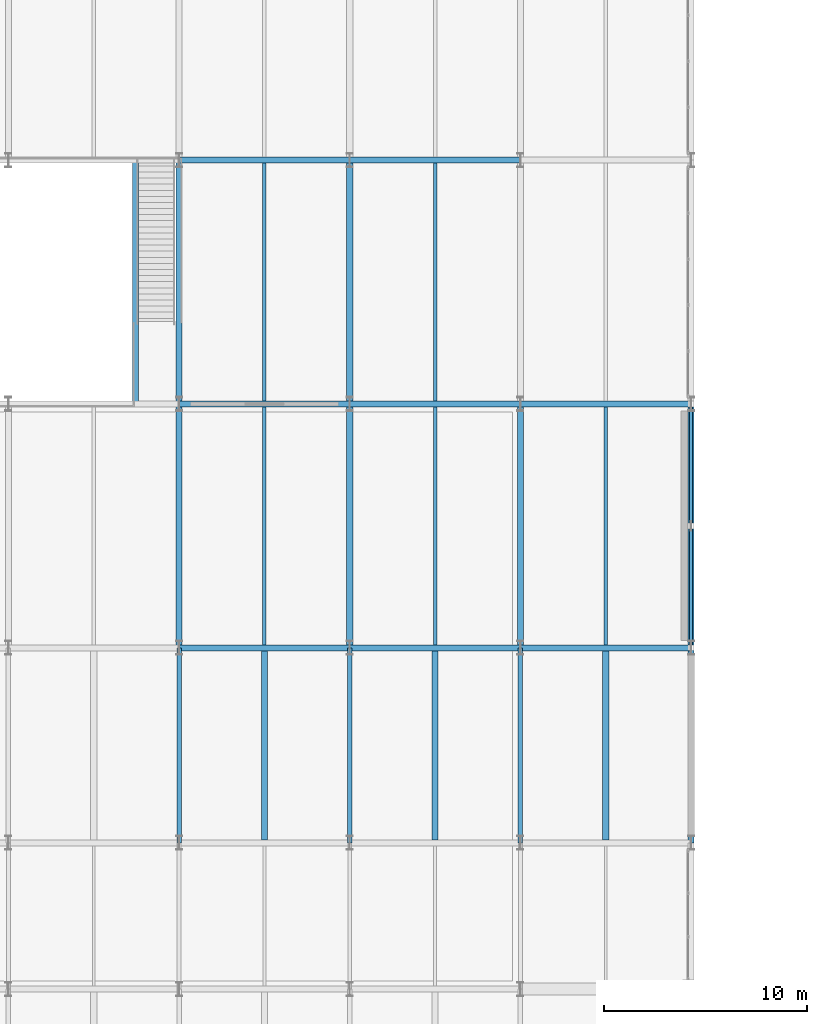
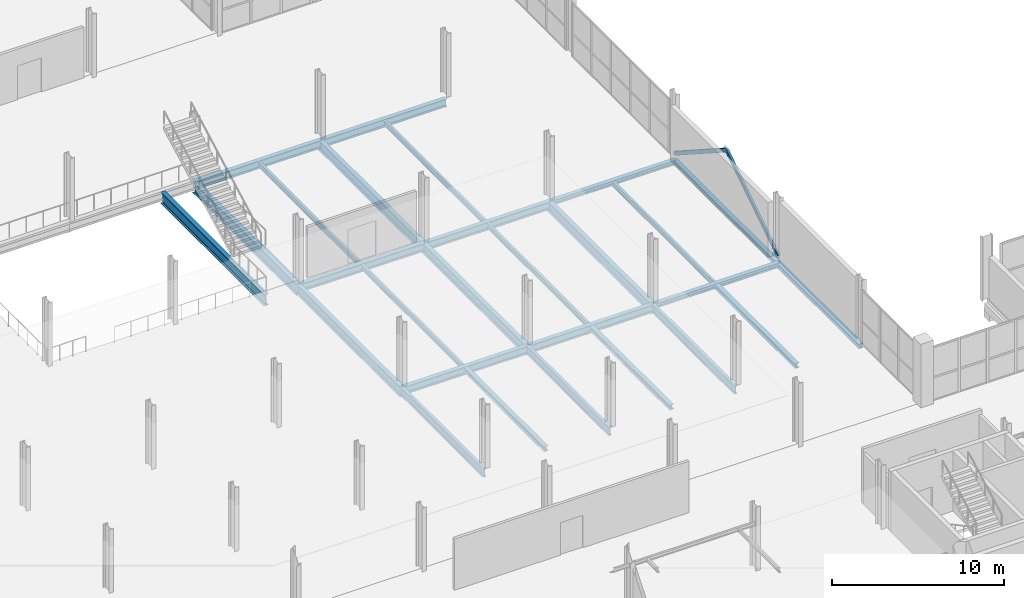
# One storey, part 42 of 113: 27 beams, 2 members.
"""IFC4 building model written with IfcOpenShell, lengths in metres."""

from ifc_helpers import new_model, si_unit, direction, frame, origin, origin_2d, place, context, subcontext, project, spatial, hollow_rectangle, i_section, extrude, material, material_profile, profile_set, type_object, element, save


model = new_model("IFC4")

# Units and contexts
model_context = context("Model", 3, precision=1e-05, world=origin(), true_north=direction((0.0, 1.0)))
body_context = subcontext(model_context, "Body", "Model", "MODEL_VIEW")
ifc_project = project(units=[si_unit("LENGTHUNIT", "METRE"), si_unit("AREAUNIT", "SQUARE_METRE"), si_unit("VOLUMEUNIT", "CUBIC_METRE"), si_unit("PLANEANGLEUNIT", "RADIAN"), si_unit("MASSUNIT", "GRAM", prefix="KILO")], contexts=[model_context])

# Site, building, storey
site_placement = place(None, origin())
site = spatial("IfcSite", under=ifc_project, at=site_placement, CompositionType="ELEMENT")
building_placement = place(site_placement, origin())
building = spatial("IfcBuilding", under=site, at=building_placement, Name="Veltarok Museum of Natural Sciences", CompositionType="ELEMENT")
storey_placement = place(building_placement, frame((0.0, 0.0, 8.39990234375)))
storey = spatial("IfcBuildingStorey", under=building, at=storey_placement, Name="L01", CompositionType="ELEMENT", Elevation=8.39990234375)

# Beams
ifc_material_1 = material(Name="Steel S355J2", Category="steel")
ifc_material_profile_1 = material_profile(ifc_material_1, i_section(OverallWidth=0.300048828125, OverallDepth=0.800048828125, WebThickness=0.017578125, FlangeThickness=0.032958984375, FilletRadius=0.030029296875, at=origin_2d()), Name="HEB 800")
ifc_profile_set_1 = profile_set([ifc_material_profile_1], Name="Steel S355J2")
beam_type_1 = type_object("IfcBeamType", Name="Atrium Edge Transfer Girder HEB 800", PredefinedType="BEAM", material=ifc_profile_set_1)
for number, where, z_axis, x_axis, name in (
    (1, (73.60009765625, 48.0, -0.64990234375), (0.0, 1.0, 0.0), (-1.0, 0.0, 0.0), "Beam BM-G06 L01 9/F-G"),
    (2, (71.449951171875, 48.0, -0.64990234375), (0.0, 1.0, 0.0), (-1.0, 0.0, 0.0), "Atrium Feature Stair Stringer Girder L01"),
):
    element("IfcBeam", number, at=place(storey_placement, frame(where, z_axis=z_axis, x_axis=x_axis)), inside=storey, type_object=beam_type_1, Name=name, PredefinedType="BEAM", context=body_context, shape_type="SweptSolid", body=[
        extrude(i_section(OverallWidth=0.300048828125, OverallDepth=0.800048828125, WebThickness=0.017578125, FlangeThickness=0.032958984375, FilletRadius=0.030029296875, at=origin_2d()), origin(), (0.0, 0.0, 1.0), 12.0),
    ])
ifc_material_profile_2 = material_profile(ifc_material_1, i_section(OverallWidth=0.300048828125, OverallDepth=0.330078125, WebThickness=0.009521484375, FlangeThickness=0.0166015625, FilletRadius=0.027099609375, at=origin_2d()), Name="HEA 340")
ifc_profile_set_2 = profile_set([ifc_material_profile_2], Name="Steel S355J2")
beam_type_2 = type_object("IfcBeamType", Name="Exhibition Floor Joist HEA 340", PredefinedType="JOIST", material=ifc_profile_set_2)
for number, where, z_axis, x_axis, name in (
    (3, (77.800048828125, 26.548095703125, -0.414794921875), (0.0, 1.0, 0.0), (-1.0, 0.0, 0.0), "Secondary Joist BM-J08 L01 9-10/D-E.1"),
    (4, (86.199951171875, 26.548095703125, -0.414794921875), (0.0, 1.0, 0.0), (-1.0, 0.0, 0.0), "Secondary Joist BM-J08 L01 10-11/D-E.1"),
    (5, (94.60009765625, 26.548095703125, -0.414794921875), (0.0, 1.0, 0.0), (-1.0, 0.0, 0.0), "Secondary Joist BM-J08 L01 11-12/D-E.1"),
):
    element("IfcBeam", number, at=place(storey_placement, frame(where, z_axis=z_axis, x_axis=x_axis)), inside=storey, type_object=beam_type_2, Name=name, PredefinedType="JOIST", context=body_context, shape_type="SweptSolid", body=[
        extrude(i_section(OverallWidth=0.300048828125, OverallDepth=0.330078125, WebThickness=0.009521484375, FlangeThickness=0.0166015625, FilletRadius=0.027099609375, at=origin_2d()), origin(), (0.0, 0.0, 1.0), 9.303955078125),
    ])
ifc_material_profile_3 = material_profile(ifc_material_1, i_section(OverallWidth=0.300048828125, OverallDepth=0.550048828125, WebThickness=0.014892578125, FlangeThickness=0.029052734375, FilletRadius=0.027099609375, at=origin_2d()), Name="HEB 550")
ifc_profile_set_3 = profile_set([ifc_material_profile_3], Name="Steel S355J2")
beam_type_3 = type_object("IfcBeamType", Name="Gallery Girder HEB 550", PredefinedType="BEAM", material=ifc_profile_set_3)
for number, where, z_axis, x_axis, name in (
    (6, (73.60009765625, 36.0, -0.52490234375), (1.0, 0.0, 0.0), (0.0, 1.0, 0.0), "Beam BM-G10 L01 9-10/E"),
    (7, (82.0, 36.0, -0.52490234375), (1.0, 0.0, 0.0), (0.0, 1.0, 0.0), "Beam BM-G10 L01 10-11/E"),
    (8, (73.60009765625, 48.0, -0.52490234375), (1.0, 0.0, 0.0), (0.0, 1.0, 0.0), "Beam BM-G10 L01 9-10/F"),
    (9, (82.0, 48.0, -0.52490234375), (1.0, 0.0, 0.0), (0.0, 1.0, 0.0), "Beam BM-G10 L01 10-11/F"),
    (10, (73.60009765625, 60.0, -0.52490234375), (1.0, 0.0, 0.0), (0.0, 1.0, 0.0), "Beam BM-G10 L01 9-10/G"),
    (11, (82.0, 60.0, -0.52490234375), (1.0, 0.0, 0.0), (0.0, 1.0, 0.0), "Beam BM-G10 L01 10-11/G"),
):
    element("IfcBeam", number, at=place(storey_placement, frame(where, z_axis=z_axis, x_axis=x_axis)), inside=storey, type_object=beam_type_3, Name=name, PredefinedType="BEAM", context=body_context, shape_type="SweptSolid", body=[
        extrude(i_section(OverallWidth=0.300048828125, OverallDepth=0.550048828125, WebThickness=0.014892578125, FlangeThickness=0.029052734375, FilletRadius=0.027099609375, at=origin_2d()), origin(), (0.0, 0.0, 1.0), 8.39990234375),
    ])
ifc_material_profile_4 = material_profile(ifc_material_1, i_section(OverallWidth=0.169921875, OverallDepth=0.360107421875, WebThickness=0.008056640625, FlangeThickness=0.0126953125, FilletRadius=0.01806640625, at=origin_2d()), Name="IPE 360")
ifc_profile_set_4 = profile_set([ifc_material_profile_4], Name="Steel S355J2")
beam_type_4 = type_object("IfcBeamType", Name="Long-Bay Composite Joist IPE 360", PredefinedType="JOIST", material=ifc_profile_set_4)
for number, where, z_axis, x_axis, name in (
    (12, (77.800048828125, 36.14794921875, -0.429931640625), (0.0, 1.0, 0.0), (-1.0, 0.0, 0.0), "Secondary Joist BM-J01 L01 9-10/E-F.1"),
    (13, (77.800048828125, 48.14794921875, -0.429931640625), (0.0, 1.0, 0.0), (-1.0, 0.0, 0.0), "Secondary Joist BM-J01 L01 9-10/F-G.1"),
    (14, (86.199951171875, 36.14794921875, -0.429931640625), (0.0, 1.0, 0.0), (-1.0, 0.0, 0.0), "Secondary Joist BM-J01 L01 10-11/E-F.1"),
    (15, (86.199951171875, 48.14794921875, -0.429931640625), (0.0, 1.0, 0.0), (-1.0, 0.0, 0.0), "Secondary Joist BM-J01 L01 10-11/F-G.1"),
    (16, (94.60009765625, 36.14794921875, -0.429931640625), (0.0, 1.0, 0.0), (-1.0, 0.0, 0.0), "Secondary Joist BM-J01 L01 11-12/E-F.1"),
):
    element("IfcBeam", number, at=place(storey_placement, frame(where, z_axis=z_axis, x_axis=x_axis)), inside=storey, type_object=beam_type_4, Name=name, PredefinedType="JOIST", context=body_context, shape_type="SweptSolid", body=[
        extrude(i_section(OverallWidth=0.169921875, OverallDepth=0.360107421875, WebThickness=0.008056640625, FlangeThickness=0.0126953125, FilletRadius=0.01806640625, at=origin_2d()), origin(), (0.0, 0.0, 1.0), 11.7041015625),
    ])
ifc_material_profile_5 = material_profile(ifc_material_1, i_section(OverallWidth=0.300048828125, OverallDepth=0.699951171875, WebThickness=0.01708984375, FlangeThickness=0.031982421875, FilletRadius=0.027099609375, at=origin_2d()), Name="HEB 700")
ifc_profile_set_5 = profile_set([ifc_material_profile_5], Name="Steel S355J2")
beam_type_5 = type_object("IfcBeamType", Name="Long-Span Hall Girder HEB 700", PredefinedType="BEAM", material=ifc_profile_set_5)
for number, where, z_axis, x_axis, name in (
    (17, (73.60009765625, 36.0, -0.599853515625), (0.0, 1.0, 0.0), (-1.0, 0.0, 0.0), "Beam BM-G01 L01 9/E-F"),
    (18, (82.0, 36.0, -0.599853515625), (0.0, 1.0, 0.0), (-1.0, 0.0, 0.0), "Beam BM-G01 L01 10/E-F"),
    (19, (82.0, 48.0, -0.599853515625), (0.0, 1.0, 0.0), (-1.0, 0.0, 0.0), "Beam BM-G01 L01 10/F-G"),
    (20, (90.39990234375, 36.0, -0.599853515625), (0.0, 1.0, 0.0), (-1.0, 0.0, 0.0), "Beam BM-G01 L01 11/E-F"),
):
    element("IfcBeam", number, at=place(storey_placement, frame(where, z_axis=z_axis, x_axis=x_axis)), inside=storey, type_object=beam_type_5, Name=name, PredefinedType="BEAM", context=body_context, shape_type="SweptSolid", body=[
        extrude(i_section(OverallWidth=0.300048828125, OverallDepth=0.699951171875, WebThickness=0.01708984375, FlangeThickness=0.031982421875, FilletRadius=0.027099609375, at=origin_2d()), origin(), (0.0, 0.0, 1.0), 12.0),
    ])

# Members
ifc_material_2 = material(Name="Oxide-red painted Steel S355J2", Category="steel")
ifc_material_profile_6 = material_profile(ifc_material_2, hollow_rectangle(XDim=0.14990234375, YDim=0.25, WallThickness=0.010009765625, at=origin_2d()), Name="RHS 250x150x10")
ifc_profile_set_6 = profile_set([ifc_material_profile_6], Name="Oxide-red painted Steel S355J2")
member_type = type_object("IfcMemberType", Name="Perimeter Frame Lateral Brace RHS 250x150x10", PredefinedType="BRACE", material=ifc_profile_set_6)
for number, where, z_axis, x_axis, name in (
    (21, (98.800048828125, 36.0, 0.150146484375), (0.0, 0.840366487678, 0.54201860336), (-1.0, 0.0, 0.0), "Chevron Lateral Brace L01 12/E-F"),
    (22, (98.800048828125, 48.0, 0.150146484375), (0.0, -0.840366487678, 0.54201860336), (1.0, 0.0, 0.0), "Chevron Lateral Brace L01 12/E-F"),
):
    element("IfcMember", number, at=place(storey_placement, frame(where, z_axis=z_axis, x_axis=x_axis)), inside=storey, type_object=member_type, Name=name, PredefinedType="BRACE", context=body_context, shape_type="SweptSolid", body=[
        extrude(hollow_rectangle(XDim=0.14990234375, YDim=0.25, WallThickness=0.010009765625, at=origin_2d()), origin(), (0.0, 0.0, 1.0), 7.1396484375),
    ])

# Beams
ifc_material_profile_7 = material_profile(ifc_material_1, i_section(OverallWidth=0.300048828125, OverallDepth=0.320068359375, WebThickness=0.011474609375, FlangeThickness=0.0205078125, FilletRadius=0.027099609375, at=origin_2d()), Name="HEB 320")
ifc_profile_set_7 = profile_set([ifc_material_profile_7], Name="Steel S355J2")
beam_type_6 = type_object("IfcBeamType", Name="Perimeter Sawtooth Spandrel HEB 320", PredefinedType="SPANDREL", material=ifc_profile_set_7)
for number, where, z_axis, x_axis, name in (
    (23, (90.39990234375, 36.0, -0.409912109375), (1.0, 0.0, 0.0), (0.0, 1.0, 0.0), "Beam BM-SP06 L01 11-12/E"),
    (24, (90.39990234375, 48.0, -0.409912109375), (1.0, 0.0, 0.0), (0.0, 1.0, 0.0), "Beam BM-SP06 L01 11-12/F"),
):
    element("IfcBeam", number, at=place(storey_placement, frame(where, z_axis=z_axis, x_axis=x_axis)), inside=storey, type_object=beam_type_6, Name=name, PredefinedType="SPANDREL", context=body_context, shape_type="SweptSolid", body=[
        extrude(i_section(OverallWidth=0.300048828125, OverallDepth=0.320068359375, WebThickness=0.011474609375, FlangeThickness=0.0205078125, FilletRadius=0.027099609375, at=origin_2d()), origin(), (0.0, 0.0, 1.0), 8.400146484375),
    ])
beam_1_placement = place(storey_placement, frame((98.800048828125, 26.39990234375, -0.409912109375), z_axis=(0.0, 1.0, 0.0), x_axis=(-1.0, 0.0, 0.0)))
element("IfcBeam", 25, at=beam_1_placement, inside=storey, type_object=beam_type_6, Name="Beam BM-SP06 L01 12/D-E", PredefinedType="SPANDREL", context=body_context, shape_type="SweptSolid", body=[
    extrude(i_section(OverallWidth=0.300048828125, OverallDepth=0.320068359375, WebThickness=0.011474609375, FlangeThickness=0.0205078125, FilletRadius=0.027099609375, at=origin_2d()), origin(), (0.0, 0.0, 1.0), 9.60009765625),
])
beam_2_placement = place(storey_placement, frame((98.800048828125, 36.0, -0.409912109375), z_axis=(0.0, 1.0, 0.0), x_axis=(-1.0, 0.0, 0.0)))
element("IfcBeam", 26, at=beam_2_placement, inside=storey, type_object=beam_type_6, Name="Beam BM-SP06 L01 12/E-F", PredefinedType="SPANDREL", context=body_context, shape_type="SweptSolid", body=[
    extrude(i_section(OverallWidth=0.300048828125, OverallDepth=0.320068359375, WebThickness=0.011474609375, FlangeThickness=0.0205078125, FilletRadius=0.027099609375, at=origin_2d()), origin(), (0.0, 0.0, 1.0), 12.0),
])
ifc_material_profile_8 = material_profile(ifc_material_1, i_section(OverallWidth=0.219970703125, OverallDepth=0.60009765625, WebThickness=0.011962890625, FlangeThickness=0.01904296875, FilletRadius=0.02392578125, at=origin_2d()), Name="IPE 600")
ifc_profile_set_8 = profile_set([ifc_material_profile_8], Name="Steel S355J2")
beam_type_7 = type_object("IfcBeamType", Name="Primary Museum Girder IPE 600", PredefinedType="BEAM", material=ifc_profile_set_8)
for number, where, z_axis, x_axis, name in (
    (27, (73.60009765625, 26.39990234375, -0.5498046875), (0.0, 1.0, 0.0), (-1.0, 0.0, 0.0), "Beam BM-G02 L01 9/D-E"),
    (28, (82.0, 26.39990234375, -0.5498046875), (0.0, 1.0, 0.0), (-1.0, 0.0, 0.0), "Beam BM-G02 L01 10/D-E"),
    (29, (90.39990234375, 26.39990234375, -0.5498046875), (0.0, 1.0, 0.0), (-1.0, 0.0, 0.0), "Beam BM-G02 L01 11/D-E"),
):
    element("IfcBeam", number, at=place(storey_placement, frame(where, z_axis=z_axis, x_axis=x_axis)), inside=storey, type_object=beam_type_7, Name=name, PredefinedType="BEAM", context=body_context, shape_type="SweptSolid", body=[
        extrude(i_section(OverallWidth=0.219970703125, OverallDepth=0.60009765625, WebThickness=0.011962890625, FlangeThickness=0.01904296875, FilletRadius=0.02392578125, at=origin_2d()), origin(), (0.0, 0.0, 1.0), 9.60009765625),
    ])

save(model, "model.ifc")
